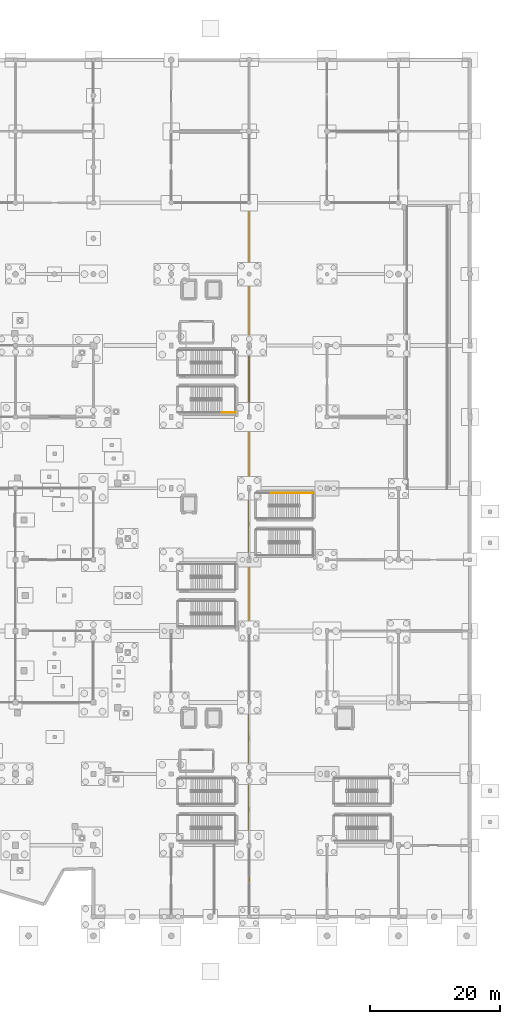
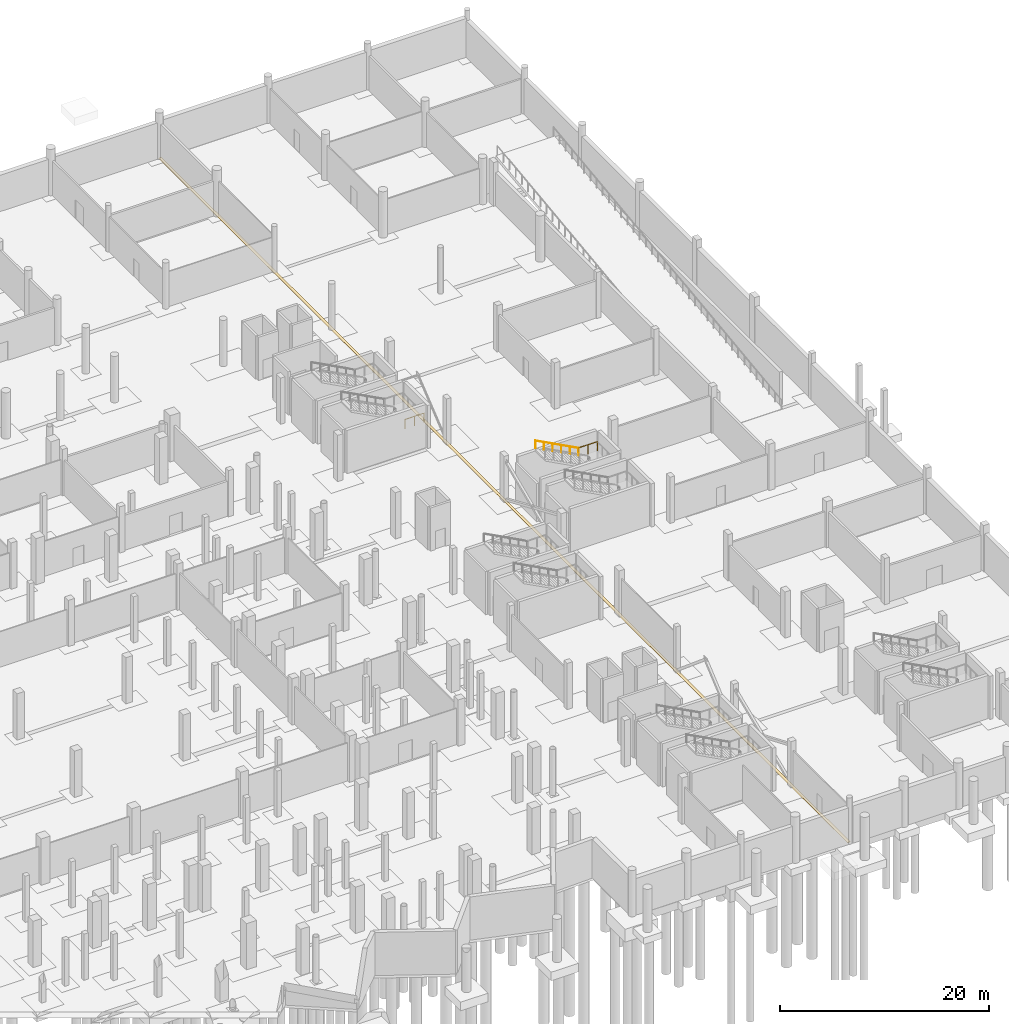
# One storey, part 57 of 60: 3 railings, 1 covering.
"""IFC4 building model written with IfcOpenShell, lengths in metres."""

from ifc_helpers import new_model, si_unit, direction, frame, origin, origin_2d, place, context, subcontext, project, spatial, rectangle, circle, extrude, material, layer, layer_set, type_object, element, save


model = new_model("IFC4")

# Units and contexts
model_context = context("Model", 3, precision=1e-05, world=origin(), true_north=direction((0.0, 1.0)))
body_context = subcontext(model_context, "Body", "Model", "MODEL_VIEW")
ifc_project = project(units=[si_unit("LENGTHUNIT", "METRE"), si_unit("AREAUNIT", "SQUARE_METRE"), si_unit("VOLUMEUNIT", "CUBIC_METRE"), si_unit("PLANEANGLEUNIT", "RADIAN"), si_unit("MASSUNIT", "GRAM", prefix="KILO")], contexts=[model_context])

# Site, building, storey
site_placement = place(None, origin())
site = spatial("IfcSite", under=ifc_project, at=site_placement, CompositionType="ELEMENT")
building_placement = place(site_placement, origin())
building = spatial("IfcBuilding", under=site, at=building_placement, Name="Luwafu Chhajja Arena", CompositionType="ELEMENT")
storey_placement = place(building_placement, frame((0.0, 0.0, -5.39990234375)))
storey = spatial("IfcBuildingStorey", under=building, at=storey_placement, Name="B1", CompositionType="ELEMENT", Elevation=-5.39990234375)

# Covering
ifc_material_1 = material(Name="Red laterite sandstone cladding", Category="masonry")
ifc_layer = layer(ifc_material_1, 0.074951171875, Name="Red laterite sandstone cladding")
ifc_layer_set = layer_set([ifc_layer], Name="Red laterite sandstone cladding")
covering_type = type_object("IfcCoveringType", Name="Dressed Red-Laterite Sandstone Cladding", PredefinedType="CLADDING", material=ifc_layer_set)
covering_placement = place(storey_placement, frame((164.0, 66.0, -0.024169921875), z_axis=(0.0, 0.0, 1.0), x_axis=(1.0, 0.0, 0.0)))
element("IfcCovering", 1, at=covering_placement, inside=storey, type_object=covering_type, Name="B1 Movement Joint MJ02 Flush Threshold Cover Plate 01", PredefinedType="CLADDING", context=body_context, shape_type="SweptSolid", body=[
    extrude(rectangle(XDim=0.320068359375, YDim=131.800048828125, at=origin_2d()), origin(), (0.0, 0.0, 1.0), 0.02392578125),
])

# Railings
ifc_material_2 = material(Name="Stainless steel handrail", Category="steel")
railing_type_1 = type_object("IfcRailingType", Name="Stair Pitch Wall Handrail 920", PredefinedType="HANDRAIL", material=ifc_material_2)
railing_placement = place(storey_placement, frame((171.780029296875, 65.300048828125, 2.8798828125)))
element("IfcRailing", 2, at=railing_placement, inside=storey, type_object=railing_type_1, Name="B1 ST-20 stair handrail 2", PredefinedType="HANDRAIL", context=body_context, shape_type="SweptSolid", body=[
    extrude(circle(Radius=0.02392578125, at=origin_2d()), frame((0.0, 0.0, 0.8759765625), z_axis=(-0.883786813738, 0.0, 0.467889803119), x_axis=(0.0, -1.0, 0.0)), (0.0, 0.0, 1.0), 5.385986328125),
    extrude(circle(Radius=0.02099609375, at=origin_2d()), origin(), (0.0, 0.0, 1.0), 0.851806640625),
    extrude(circle(Radius=0.02099609375, at=origin_2d()), frame((-0.951904296875, 0.0, 0.50390625)), (0.0, 0.0, 1.0), 0.851806640625),
    extrude(circle(Radius=0.02099609375, at=origin_2d()), frame((-1.904052734375, 0.0, 1.008056640625)), (0.0, 0.0, 1.0), 0.851806640625),
    extrude(circle(Radius=0.02099609375, at=origin_2d()), frame((-2.85595703125, 0.0, 1.511962890625)), (0.0, 0.0, 1.0), 0.851806640625),
    extrude(circle(Radius=0.02099609375, at=origin_2d()), frame((-3.80810546875, 0.0, 2.01611328125)), (0.0, 0.0, 1.0), 0.851806640625),
    extrude(circle(Radius=0.02099609375, at=origin_2d()), frame((-4.760009765625, 0.0, 2.52001953125)), (0.0, 0.0, 1.0), 0.851806640625),
])
ifc_material_3 = material(Name="Stainless steel balustrade", Category="steel")
railing_type_2 = type_object("IfcRailingType", Name="Stair and Terrace Guard Balustrade 1100", PredefinedType="BALUSTRADE", material=ifc_material_3)
for number, where, name in (
    (3, (159.780029296875, 77.699951171875, 2.699951171875), "B1 ST-07 stair guard 3"),
    (4, (171.780029296875, 65.300048828125, 2.699951171875), "B1 ST-20 stair guard 4"),
):
    element("IfcRailing", number, at=place(storey_placement, frame(where)), inside=storey, type_object=railing_type_2, Name=name, PredefinedType="BALUSTRADE", context=body_context, shape_type="SweptSolid", body=[
        extrude(circle(Radius=0.02392578125, at=origin_2d()), frame((0.0, 0.0, 1.076171875), z_axis=(1.0, 0.0, 0.0), x_axis=(0.0, 1.0, 0.0)), (0.0, 0.0, 1.0), 2.119873046875),
        extrude(circle(Radius=0.02099609375, at=origin_2d()), origin(), (0.0, 0.0, 1.0), 1.052001953125),
        extrude(circle(Radius=0.02099609375, at=origin_2d()), frame((1.06005859375, 0.0, 0.0)), (0.0, 0.0, 1.0), 1.052001953125),
        extrude(circle(Radius=0.02099609375, at=origin_2d()), frame((2.119873046875, 0.0, 0.0)), (0.0, 0.0, 1.0), 1.052001953125),
    ])

save(model, "model.ifc")
